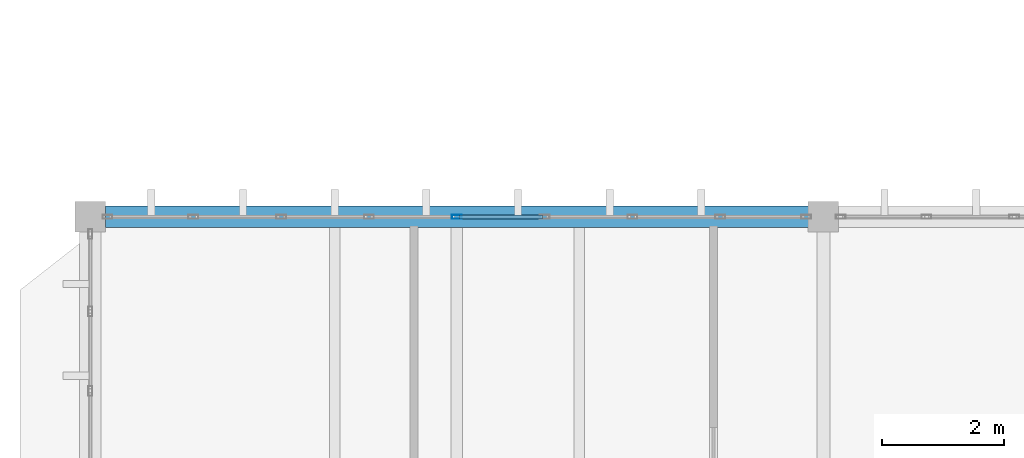
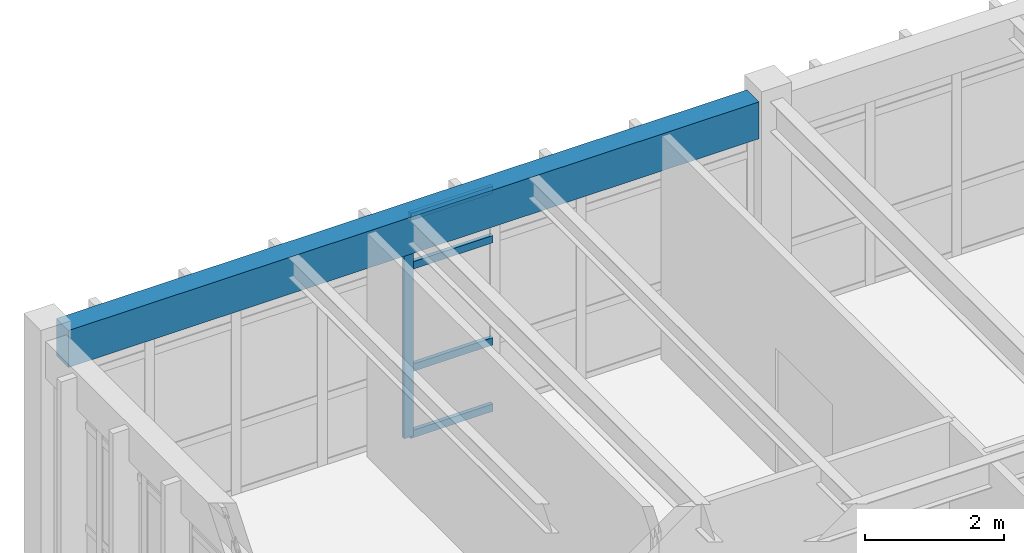
# One storey, part 17 of 83: 5 members, 1 beam, 1 element without a shape of its own.
"""IFC4 building model written with IfcOpenShell, lengths in metres."""

from ifc_helpers import new_model, si_unit, direction, frame, origin, origin_2d, place, context, subcontext, project, spatial, rectangle, hollow_rectangle, extrude, material, layer, layer_set, material_profile, profile_set, type_object, element, aggregate, save


model = new_model("IFC4")

# Units and contexts
model_context = context("Model", 3, precision=1e-05, world=origin(), true_north=direction((0.0, 1.0)))
body_context = subcontext(model_context, "Body", "Model", "MODEL_VIEW")
ifc_project = project(units=[si_unit("LENGTHUNIT", "METRE"), si_unit("AREAUNIT", "SQUARE_METRE"), si_unit("VOLUMEUNIT", "CUBIC_METRE"), si_unit("PLANEANGLEUNIT", "RADIAN"), si_unit("MASSUNIT", "GRAM", prefix="KILO")], contexts=[model_context])

# Site, building, storey
site_placement = place(None, origin())
site = spatial("IfcSite", under=ifc_project, at=site_placement, CompositionType="ELEMENT")
building_placement = place(site_placement, origin())
building = spatial("IfcBuilding", under=site, at=building_placement, Name="Pandanus Reach Market Hall", CompositionType="ELEMENT")
storey_placement = place(building_placement, frame((0.0, 0.0, 10.199951171875)))
storey = spatial("IfcBuildingStorey", under=building, at=storey_placement, Name="L02", CompositionType="ELEMENT", Elevation=10.199951171875)

# Beam
ifc_material_1 = material(Name="Concrete N40 (40 MPa)", Category="concrete")
ifc_material_profile_1 = material_profile(ifc_material_1, rectangle(XDim=0.35009765625, YDim=0.64990234375, at=origin_2d()), Name="RC350x650", Category="LoadBearing")
ifc_profile_set_1 = profile_set([ifc_material_profile_1], Name="Concrete N40 (40 MPa)")
beam_type = type_object("IfcBeamType", Name="BM-RC350-E", PredefinedType="SPANDREL", material=ifc_profile_set_1)
beam_placement = place(storey_placement, frame((0.248046875, 28.800048828125, 3.655029296875), z_axis=(1.0, 0.0, 0.0), x_axis=(0.0, 1.0, 0.0)))
element("IfcBeam", 1, at=beam_placement, inside=storey, type_object=beam_type, Name="Framing beam BM-RC350-E L02.1017", PredefinedType="SPANDREL", context=body_context, shape_type="SweptSolid", body=[
    extrude(rectangle(XDim=0.35009765625, YDim=0.64990234375, at=origin_2d()), origin(), (0.0, 0.0, 1.0), 11.50390625),
])

# Curtain wall, members
ifc_material_2 = material(Name="Bronze anodised aluminium and low-E glass", Category="aluminium")
ifc_layer = layer(ifc_material_2, 0.159912109375, Name="CW-22")
ifc_layer_set = layer_set([ifc_layer], Name="Bronze anodised aluminium and low-E glass")
curtain_wall_type = type_object("IfcCurtainWallType", Name="CW-22", PredefinedType="NOTDEFINED", material=ifc_layer_set)
curtain_wall_placement = place(storey_placement, origin())
curtain_wall = element("IfcCurtainWall", 2, at=curtain_wall_placement, inside=storey, type_object=curtain_wall_type, Name="Glazed curtain wall CW-22 CW-0065", PredefinedType="NOTDEFINED")
ifc_material_3 = material(Name="Bronze anodised aluminium", Category="aluminium")
ifc_material_profile_2 = material_profile(ifc_material_3, hollow_rectangle(XDim=0.06494140625, YDim=0.159912109375, WallThickness=0.00390625, at=origin_2d()), Name="ALU65x160", Category="LoadBearing")
ifc_profile_set_2 = profile_set([ifc_material_profile_2], Name="Bronze anodised aluminium")
member_type_1 = type_object("IfcMemberType", Name="CW-M1", PredefinedType="MULLION", material=ifc_profile_set_2)
member_1_placement = place(storey_placement, frame((6.0, 28.800048828125, 0.0), z_axis=(0.0, 0.0, 1.0), x_axis=(0.0, 1.0, 0.0)))
member_1 = element("IfcMember", 3, at=member_1_placement, type_object=member_type_1, Name="CW-22 mullion 5", PredefinedType="MULLION", context=body_context, shape_type="SweptSolid", body=[
    extrude(hollow_rectangle(XDim=0.06494140625, YDim=0.159912109375, WallThickness=0.00390625, at=origin_2d()), origin(), (0.0, 0.0, 1.0), 3.900146484375),
])
ifc_material_profile_3 = material_profile(ifc_material_3, hollow_rectangle(XDim=0.06494140625, YDim=0.1298828125, WallThickness=0.00390625, at=origin_2d()), Name="ALU65x130", Category="LoadBearing")
ifc_profile_set_3 = profile_set([ifc_material_profile_3], Name="Bronze anodised aluminium")
member_type_2 = type_object("IfcMemberType", Name="CW-T1", PredefinedType="USERDEFINED", material=ifc_profile_set_3)
member_2_placement = place(storey_placement, frame((6.032470703125, 28.800048828125, 0.032470703125), z_axis=(1.0, 0.0, 0.0), x_axis=(0.0, 1.0, 0.0)))
member_2 = element("IfcMember", 4, at=member_2_placement, type_object=member_type_2, Name="CW-22 transom 5.1", ObjectType="TRANSOM", PredefinedType="USERDEFINED", context=body_context, shape_type="SweptSolid", body=[
    extrude(hollow_rectangle(XDim=0.06494140625, YDim=0.1298828125, WallThickness=0.00390625, at=origin_2d()), origin(), (0.0, 0.0, 1.0), 1.37255859375),
])
member_3_placement = place(storey_placement, frame((6.032470703125, 28.800048828125, 1.199951171875), z_axis=(1.0, 0.0, 0.0), x_axis=(0.0, 1.0, 0.0)))
member_3 = element("IfcMember", 5, at=member_3_placement, type_object=member_type_2, Name="CW-22 transom 5.2", ObjectType="TRANSOM", PredefinedType="USERDEFINED", context=body_context, shape_type="SweptSolid", body=[
    extrude(hollow_rectangle(XDim=0.06494140625, YDim=0.1298828125, WallThickness=0.00390625, at=origin_2d()), origin(), (0.0, 0.0, 1.0), 1.37255859375),
])
member_4_placement = place(storey_placement, frame((6.032470703125, 28.800048828125, 3.0), z_axis=(1.0, 0.0, 0.0), x_axis=(0.0, 1.0, 0.0)))
member_4 = element("IfcMember", 6, at=member_4_placement, type_object=member_type_2, Name="CW-22 transom 5.3", ObjectType="TRANSOM", PredefinedType="USERDEFINED", context=body_context, shape_type="SweptSolid", body=[
    extrude(hollow_rectangle(XDim=0.06494140625, YDim=0.1298828125, WallThickness=0.00390625, at=origin_2d()), origin(), (0.0, 0.0, 1.0), 1.37255859375),
])
member_5_placement = place(storey_placement, frame((6.032470703125, 28.800048828125, 3.867431640625), z_axis=(1.0, 0.0, 0.0), x_axis=(0.0, 1.0, 0.0)))
member_5 = element("IfcMember", 7, at=member_5_placement, type_object=member_type_2, Name="CW-22 transom 5.4", ObjectType="TRANSOM", PredefinedType="USERDEFINED", context=body_context, shape_type="SweptSolid", body=[
    extrude(hollow_rectangle(XDim=0.06494140625, YDim=0.1298828125, WallThickness=0.00390625, at=origin_2d()), origin(), (0.0, 0.0, 1.0), 1.37255859375),
])
aggregate(curtain_wall, [member_1, member_2, member_3, member_4, member_5])

save(model, "model.ifc")
